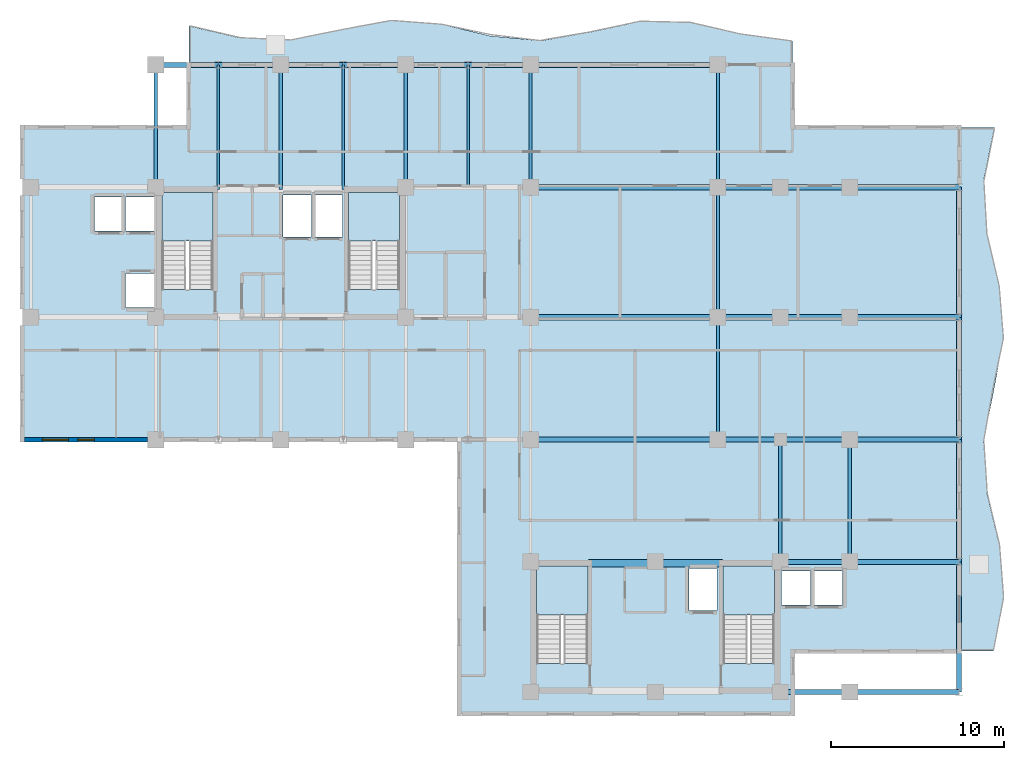
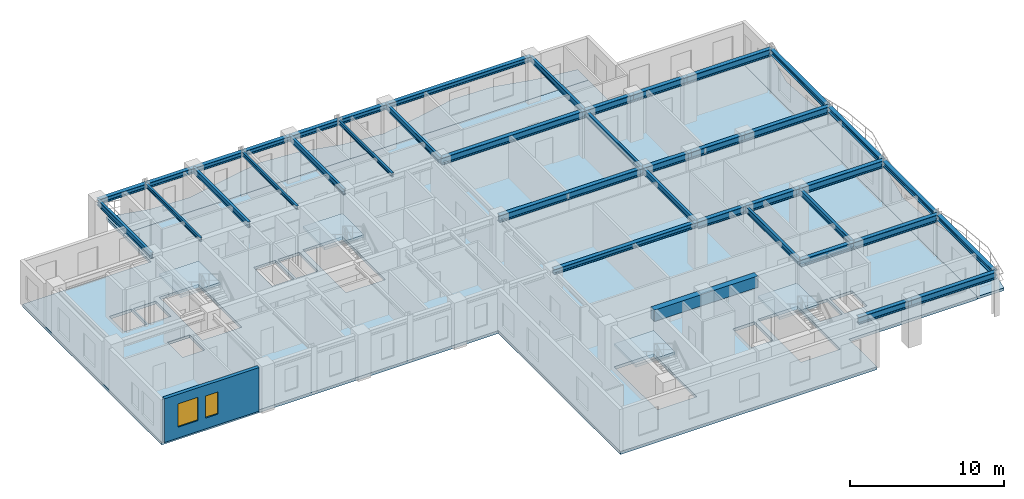
# One storey, part 4 of 13: 40 beams, 7 slabs, 2 windows, 1 wall, 2 openings, 4 elements without a shape of their own.
"""IFC4 building model written with IfcOpenShell, lengths in metres."""

import ifcopenshell
import ifcopenshell.guid

model = None  # the IFC model being written
_history = None  # IfcOwnerHistory: only IFC2X3 demands one
_inside = {}  # id of a spatial element -> (the spatial element, [elements in it])
_under = {}  # id of a project, library or spatial element -> (it, [spatial elements below it])
_declared = {}  # id of a project -> (the project, [libraries it declares])
_typed = {}  # id of a type object -> (the type object, [elements of that type])
_made_of = {}  # id of a material, layer set ... -> (it, [elements and type objects made of it])


def new_model(schema):
    """Start an empty IFC model of exactly this schema.

    Asked for "IFC4X3", IfcOpenShell would pick the latest addendum, in which some entities
    have other attributes; the version numbers below select the first issue.
    IFC2X3 requires an IfcOwnerHistory on every rooted entity: one is made here for all.
    """
    global model, _history
    if schema == "IFC4X3":
        model = ifcopenshell.file(schema_version=(4, 3, 0, 0))
    else:
        model = ifcopenshell.file(schema=schema)
    _inside.clear()
    _under.clear()
    _declared.clear()
    _typed.clear()
    _made_of.clear()
    _history = None
    if model.schema == "IFC2X3":
        org = make("IfcOrganization", Name="unknown")
        user = make(
            "IfcPersonAndOrganization",
            ThePerson=make("IfcPerson", FamilyName="unknown"),
            TheOrganization=org,
        )
        app = make(
            "IfcApplication",
            ApplicationDeveloper=org,
            Version="unknown",
            ApplicationFullName="unknown",
            ApplicationIdentifier="unknown",
        )
        _history = make(
            "IfcOwnerHistory",
            OwningUser=user,
            OwningApplication=app,
            ChangeAction="ADDED",
            CreationDate=0,
        )
    return model


def make(cls, **values):
    """One entity of the class cls with the attributes given. An attribute that is None is left unset."""
    return model.create_entity(
        cls, **{name: value for name, value in values.items() if value is not None}
    )


def rooted(cls, **values):
    """An entity with a GlobalId (a new one), such as an element, a storey or a relation."""
    return make(cls, GlobalId=ifcopenshell.guid.new(), OwnerHistory=_history, **values)


def si_unit(unit_type, name, prefix=None):
    """IfcSIUnit, for example si_unit("LENGTHUNIT", "METRE", prefix="MILLI")."""
    return make("IfcSIUnit", UnitType=unit_type, Prefix=prefix, Name=name)


def assignment(units):
    """IfcUnitAssignment: the units of a project."""
    return None if units is None else make("IfcUnitAssignment", Units=units)


def point(xyz):
    """IfcCartesianPoint."""
    return None if xyz is None else make("IfcCartesianPoint", Coordinates=xyz)


def direction(xyz):
    """IfcDirection."""
    return None if xyz is None else make("IfcDirection", DirectionRatios=xyz)


def frame(location, z_axis=None, x_axis=None):
    """IfcAxis2Placement3D, a coordinate frame: its origin and axes. An axis left out is left unset."""
    return make(
        "IfcAxis2Placement3D",
        Location=point(location),
        Axis=direction(z_axis),
        RefDirection=direction(x_axis),
    )


def frame_2d(location, x_axis=None):
    """IfcAxis2Placement2D, a coordinate frame in the plane: its origin and x axis."""
    return make(
        "IfcAxis2Placement2D", Location=point(location), RefDirection=direction(x_axis)
    )


def origin():
    """The frame at (0, 0, 0) with its axes left unset."""
    return frame((0.0, 0.0, 0.0))


def origin_2d():
    """The frame at (0, 0) in the plane with its x axis left unset."""
    return frame_2d((0.0, 0.0))


def place(relative_to, where):
    """IfcLocalPlacement: puts the frame where relative to a parent placement (None: the world)."""
    return make(
        "IfcLocalPlacement", PlacementRelTo=relative_to, RelativePlacement=where
    )


def context(
    kind, dimensions, precision=None, world=None, true_north=None, identifier=None
):
    """IfcGeometricRepresentationContext, for example the 3D "Model" context."""
    return make(
        "IfcGeometricRepresentationContext",
        ContextIdentifier=identifier,
        ContextType=kind,
        CoordinateSpaceDimension=dimensions,
        Precision=precision,
        WorldCoordinateSystem=world,
        TrueNorth=true_north,
    )


def subcontext(parent, identifier, kind, view, scale=None):
    """IfcGeometricRepresentationSubContext, for example "Body" below "Model"."""
    return make(
        "IfcGeometricRepresentationSubContext",
        ContextIdentifier=identifier,
        ContextType=kind,
        ParentContext=parent,
        TargetScale=scale,
        TargetView=view,
    )


def project(units=None, contexts=None):
    """IfcProject with its units and contexts."""
    return rooted(
        "IfcProject",
        Name="project",
        RepresentationContexts=contexts,
        UnitsInContext=assignment(units),
    )


def spatial(cls, under=None, at=None, **own):
    """A site, building, storey or space (cls), placed at a placement, below another one or the project."""
    s = rooted(cls, ObjectPlacement=at, **own)
    if under is not None:
        _under.setdefault(under.id(), (under, []))[1].append(s)
    return s


def polyline(points):
    """IfcPolyline through the points."""
    return make("IfcPolyline", Points=[point(p) for p in points])


def profile(cls, at=None, kind="AREA", **sizes):
    """A parametric profile (cls). Its sizes go by their IFC names, for example OverallWidth=200.0."""
    return make(cls, ProfileType=kind, Position=at, **sizes)


def rectangle(**sizes):
    """IfcRectangleProfileDef."""
    return profile("IfcRectangleProfileDef", **sizes)


def i_section(**sizes):
    """IfcIShapeProfileDef."""
    return profile("IfcIShapeProfileDef", **sizes)


def outline(outer, holes=None, kind="AREA"):
    """IfcArbitraryClosedProfileDef: a profile drawn as a closed curve; with holes, ...WithVoids."""
    if holes is None:
        return make("IfcArbitraryClosedProfileDef", ProfileType=kind, OuterCurve=outer)
    return make(
        "IfcArbitraryProfileDefWithVoids",
        ProfileType=kind,
        OuterCurve=outer,
        InnerCurves=holes,
    )


def extrude(swept, where, along, depth):
    """IfcExtrudedAreaSolid: the profile swept, set in the frame where, extruded along a direction by depth."""
    return make(
        "IfcExtrudedAreaSolid",
        SweptArea=swept,
        Position=where,
        ExtrudedDirection=direction(along),
        Depth=depth,
    )


def shape(context_of_items, identifier, shape_type, items):
    """IfcShapeRepresentation: the items that make up one representation, for example the "Body"."""
    return make(
        "IfcShapeRepresentation",
        ContextOfItems=context_of_items,
        RepresentationIdentifier=identifier,
        RepresentationType=shape_type,
        Items=items,
    )


def source(mapping_origin, context_of_items, identifier, shape_type, items):
    """IfcRepresentationMap: a shape defined once, which mapped items show again and again."""
    return make(
        "IfcRepresentationMap",
        MappingOrigin=mapping_origin,
        MappedRepresentation=shape(context_of_items, identifier, shape_type, items),
    )


def transform(
    local_origin,
    x_axis=None,
    y_axis=None,
    z_axis=None,
    scale=None,
    scale2=None,
    scale3=None,
    uniform=True,
):
    """IfcCartesianTransformationOperator3D, or its non-uniform kind. x_axis, y_axis, z_axis: its Axis1, 2, 3."""
    if uniform:
        return make(
            "IfcCartesianTransformationOperator3D",
            Axis1=direction(x_axis),
            Axis2=direction(y_axis),
            LocalOrigin=point(local_origin),
            Scale=scale,
            Axis3=direction(z_axis),
        )
    return make(
        "IfcCartesianTransformationOperator3DnonUniform",
        Axis1=direction(x_axis),
        Axis2=direction(y_axis),
        LocalOrigin=point(local_origin),
        Scale=scale,
        Axis3=direction(z_axis),
        Scale2=scale2,
        Scale3=scale3,
    )


def mapped(mapping_source, mapping_target):
    """IfcMappedItem: shows the shape of a source again, moved by a transform."""
    return make(
        "IfcMappedItem", MappingSource=mapping_source, MappingTarget=mapping_target
    )


def material(Name=None, Category=None):
    """IfcMaterial."""
    return make("IfcMaterial", Name=Name, Category=Category)


def layer(
    of_material, thickness, ventilated=None, Name=None, Category=None, Priority=None
):
    """IfcMaterialLayer: one layer of a wall or slab, of a material (None: an air gap)."""
    return make(
        "IfcMaterialLayer",
        Material=of_material,
        LayerThickness=thickness,
        IsVentilated=ventilated,
        Name=Name,
        Category=Category,
        Priority=Priority,
    )


def layer_set(layers, Name=None):
    """IfcMaterialLayerSet."""
    return make("IfcMaterialLayerSet", MaterialLayers=layers, LayerSetName=Name)


def material_profile(
    of_material, cross_section, Name=None, Category=None, Priority=None
):
    """IfcMaterialProfile: a cross section and its material."""
    return make(
        "IfcMaterialProfile",
        Name=Name,
        Material=of_material,
        Profile=cross_section,
        Priority=Priority,
        Category=Category,
    )


def profile_set(profiles, Name=None, composite=None):
    """IfcMaterialProfileSet."""
    return make(
        "IfcMaterialProfileSet",
        Name=Name,
        MaterialProfiles=profiles,
        CompositeProfile=composite,
    )


def made_of(thing, what):
    """Note that an element or type object is made of a material, layer set ...; save() writes the relation."""
    if what is not None:
        _made_of.setdefault(what.id(), (what, []))[1].append(thing)
    return thing


def type_object(cls, material=None, **own):
    """A type object (cls), such as IfcWallType, which elements share."""
    return made_of(rooted(cls, **own), material)


def element(
    cls,
    number,
    at=None,
    inside=None,
    cuts=None,
    type_object=None,
    material=None,
    context=None,
    identifier="Body",
    shape_type=None,
    held_by="IfcProductDefinitionShape",
    body=None,
    shapes=None,
    **own,
):
    """One element of the class cls, such as IfcWall. Its Tag is "e" and its number.

    at: its placement. inside: the storey or other place that contains it. cuts: it is an
    opening in that element (IfcRelVoidsElement). A single representation is given by context,
    identifier, shape_type and body (its items); several are given by shapes. held_by: the class
    of the entity that holds the representations. save() writes the other relations.
    """
    e = rooted(cls, Tag="e%d" % number, ObjectPlacement=at, **own)
    if body is not None:
        shapes = [shape(context, identifier, shape_type, body)]
    if shapes is not None:
        e.Representation = make(held_by, Representations=shapes)
    if inside is not None:
        _inside.setdefault(inside.id(), (inside, []))[1].append(e)
    if cuts is not None:
        rooted(
            "IfcRelVoidsElement", RelatingBuildingElement=cuts, RelatedOpeningElement=e
        )
    if type_object is not None:
        _typed.setdefault(type_object.id(), (type_object, []))[1].append(e)
    return made_of(e, material)


def fill(opening, filler):
    """IfcRelFillsElement: the door or window that sits in an opening."""
    return rooted(
        "IfcRelFillsElement",
        RelatingOpeningElement=opening,
        RelatedBuildingElement=filler,
    )


def aggregate(whole, parts):
    """IfcRelAggregates: a whole, such as a stair, and the parts it consists of."""
    return rooted("IfcRelAggregates", RelatingObject=whole, RelatedObjects=parts)


def save(model, path):
    """Write the relations noted so far, then the file.

    IfcRelAggregates (storeys below a building ...), IfcRelContainedInSpatialStructure (elements
    in a storey), IfcRelDefinesByType, IfcRelAssociatesMaterial and IfcRelDeclares: one each for
    every whole, place, type object, material and project.
    """
    for whole, parts in _under.values():
        aggregate(whole, parts)
    for where, things in _inside.values():
        rooted(
            "IfcRelContainedInSpatialStructure",
            RelatedElements=things,
            RelatingStructure=where,
        )
    for kind, things in _typed.values():
        rooted("IfcRelDefinesByType", RelatedObjects=things, RelatingType=kind)
    for what, things in _made_of.values():
        rooted("IfcRelAssociatesMaterial", RelatedObjects=things, RelatingMaterial=what)
    for by, libraries in _declared.values():
        rooted("IfcRelDeclares", RelatingContext=by, RelatedDefinitions=libraries)
    model.write(path)


model = new_model("IFC4")

# Units and contexts
model_context = context("Model", 3, precision=1e-05, world=origin(), true_north=direction((0.0, 1.0)))
body_context = subcontext(model_context, "Body", "Model", "MODEL_VIEW")
ifc_project = project(units=[si_unit("LENGTHUNIT", "METRE"), si_unit("AREAUNIT", "SQUARE_METRE"), si_unit("VOLUMEUNIT", "CUBIC_METRE"), si_unit("PLANEANGLEUNIT", "RADIAN"), si_unit("MASSUNIT", "GRAM", prefix="KILO")], contexts=[model_context])

# Site, building, storey
site_placement = place(None, origin())
site = spatial("IfcSite", under=ifc_project, at=site_placement, CompositionType="ELEMENT")
building_placement = place(site_placement, origin())
building = spatial("IfcBuilding", under=site, at=building_placement, Name="Kaliganga Portal Commons", CompositionType="ELEMENT")
storey_placement = place(building_placement, frame((0.0, 0.0, 224.0)))
storey = spatial("IfcBuildingStorey", under=building, at=storey_placement, Name="L57", CompositionType="ELEMENT", Elevation=224.0)

# Beams
ifc_material_1 = material(Name="Concrete C50/60", Category="concrete")
ifc_material_profile_1 = material_profile(ifc_material_1, rectangle(XDim=0.449951171875, YDim=0.89990234375, at=origin_2d()), Name="RC 450x900")
ifc_profile_set_1 = profile_set([ifc_material_profile_1], Name="Concrete C50/60")
beam_type_1 = type_object("IfcBeamType", Name="BM-CPL-900", PredefinedType="LINTEL", material=ifc_profile_set_1)
shared_shape_1 = source(origin(), body_context, "Body", "SweptSolid", [
    extrude(rectangle(XDim=0.449951171875, YDim=0.89990234375, at=origin_2d()), origin(), (0.0, 0.0, 1.0), 7.739990234375),
])
beam_1_placement = place(storey_placement, frame((39.330078125, 14.47509765625, 3.02001953125), z_axis=(1.0, 0.0, 0.0), x_axis=(0.0, 1.0, 0.0)))
element("IfcBeam", 1, at=beam_1_placement, inside=storey, type_object=beam_type_1, Name="BM CPL COREB L57 N", PredefinedType="LINTEL", context=body_context, shape_type="MappedRepresentation", body=[
    mapped(shared_shape_1, transform((0.0, 0.0, 0.0), x_axis=(1.0, 0.0, 0.0), y_axis=(0.0, 1.0, 0.0), z_axis=(0.0, 0.0, 1.0), scale=1.0)),
])
ifc_material_2 = material(Name="Structural steel S355J2", Category="steel")
ifc_material_profile_2 = material_profile(ifc_material_2, i_section(OverallWidth=0.18994140625, OverallDepth=0.449951171875, WebThickness=0.009521484375, FlangeThickness=0.0146484375, FilletRadius=0.02099609375, at=origin_2d()), Name="IPE 450")
ifc_profile_set_2 = profile_set([ifc_material_profile_2], Name="Structural steel S355J2 wide-flange")
beam_type_2 = type_object("IfcBeamType", Name="BM-FLR-450", PredefinedType="BEAM", material=ifc_profile_set_2)
shared_shape_2 = source(origin(), body_context, "Body", "SweptSolid", [
    extrude(i_section(OverallWidth=0.18994140625, OverallDepth=0.449951171875, WebThickness=0.009521484375, FlangeThickness=0.0146484375, FilletRadius=0.02099609375, at=origin_2d()), origin(), (0.0, 0.0, 1.0), 7.5),
])
beam_2_placement = place(storey_placement, frame((46.800048828125, 28.64990234375, 3.2451171875), z_axis=(0.0, 1.0, 0.0), x_axis=(-1.0, 0.0, 0.0)))
element("IfcBeam", 2, at=beam_2_placement, inside=storey, type_object=beam_type_2, Name="BM G L57 AM468", PredefinedType="BEAM", context=body_context, shape_type="MappedRepresentation", body=[
    mapped(shared_shape_2, transform((0.0, 0.0, 0.0), x_axis=(1.0, 0.0, 0.0), y_axis=(0.0, 1.0, 0.0), z_axis=(0.0, 0.0, 1.0), scale=1.0)),
])
shared_shape_3 = source(origin(), body_context, "Body", "SweptSolid", [
    extrude(i_section(OverallWidth=0.18994140625, OverallDepth=0.449951171875, WebThickness=0.009521484375, FlangeThickness=0.0146484375, FilletRadius=0.02099609375, at=origin_2d()), origin(), (0.0, 0.0, 1.0), 7.050048828125),
])
for number, where, z_axis, x_axis, name in (
    (3, (14.39990234375, 36.14990234375, 3.2451171875), (0.0, 1.0, 0.0), (-1.0, 0.0, 0.0), "BM G L57 AN144"),
    (4, (28.800048828125, 36.14990234375, 3.2451171875), (0.0, 1.0, 0.0), (-1.0, 0.0, 0.0), "BM G L57 AN288"),
    (5, (36.0, 36.14990234375, 3.2451171875), (0.0, 1.0, 0.0), (-1.0, 0.0, 0.0), "BM G L57 AN360"),
    (6, (46.800048828125, 36.14990234375, 3.2451171875), (0.0, 1.0, 0.0), (-1.0, 0.0, 0.0), "BM G L57 AN468"),
    (7, (50.39990234375, 14.550048828125, 3.2451171875), (0.0, 1.0, 0.0), (-1.0, 0.0, 0.0), "BM G L57 BNK504"),
    (8, (54.39990234375, 14.550048828125, 3.2451171875), (0.0, 1.0, 0.0), (-1.0, 0.0, 0.0), "BM G L57 BNK544"),
):
    element("IfcBeam", number, at=place(storey_placement, frame(where, z_axis=z_axis, x_axis=x_axis)), inside=storey, type_object=beam_type_2, Name=name, PredefinedType="BEAM", context=body_context, shape_type="MappedRepresentation", body=[
        mapped(shared_shape_3, transform((0.0, 0.0, 0.0), x_axis=(1.0, 0.0, 0.0), y_axis=(0.0, 1.0, 0.0), z_axis=(0.0, 0.0, 1.0), scale=1.0)),
    ])
shared_shape_4 = source(origin(), body_context, "Body", "SweptSolid", [
    extrude(i_section(OverallWidth=0.18994140625, OverallDepth=0.449951171875, WebThickness=0.009521484375, FlangeThickness=0.0146484375, FilletRadius=0.02099609375, at=origin_2d()), origin(), (0.0, 0.0, 1.0), 7.0498046875),
])
beam_3_placement = place(storey_placement, frame((46.800048828125, 21.60009765625, 3.2451171875), z_axis=(0.0, 1.0, 0.0), x_axis=(-1.0, 0.0, 0.0)))
element("IfcBeam", 9, at=beam_3_placement, inside=storey, type_object=beam_type_2, Name="BM G L57 AS468", PredefinedType="BEAM", context=body_context, shape_type="MappedRepresentation", body=[
    mapped(shared_shape_4, transform((0.0, 0.0, 0.0), x_axis=(1.0, 0.0, 0.0), y_axis=(0.0, 1.0, 0.0), z_axis=(0.0, 0.0, 1.0), scale=1.0)),
])
ifc_material_profile_3 = material_profile(ifc_material_2, i_section(OverallWidth=0.14990234375, OverallDepth=0.300048828125, WebThickness=0.007080078125, FlangeThickness=0.0107421875, FilletRadius=0.014892578125, at=origin_2d()), Name="IPE 300")
ifc_profile_set_3 = profile_set([ifc_material_profile_3], Name="Structural steel S355J2 wide-flange")
beam_type_3 = type_object("IfcBeamType", Name="BM-JST-300", PredefinedType="JOIST", material=ifc_profile_set_3)
shared_shape_5 = source(origin(), body_context, "Body", "SweptSolid", [
    extrude(i_section(OverallWidth=0.14990234375, OverallDepth=0.300048828125, WebThickness=0.007080078125, FlangeThickness=0.0107421875, FilletRadius=0.014892578125, at=origin_2d()), origin(), (0.0, 0.0, 1.0), 7.050048828125),
])
beam_4_placement = place(storey_placement, frame((32.39990234375, 36.14990234375, 3.320068359375), z_axis=(0.0, 1.0, 0.0), x_axis=(-1.0, 0.0, 0.0)))
element("IfcBeam", 10, at=beam_4_placement, inside=storey, type_object=beam_type_3, Name="BM G L57 AN324", PredefinedType="JOIST", context=body_context, shape_type="MappedRepresentation", body=[
    mapped(shared_shape_5, transform((0.0, 0.0, 0.0), x_axis=(1.0, 0.0, 0.0), y_axis=(0.0, 1.0, 0.0), z_axis=(0.0, 0.0, 1.0), scale=1.0)),
])
ifc_material_profile_4 = material_profile(ifc_material_2, i_section(OverallWidth=0.300048828125, OverallDepth=0.39990234375, WebThickness=0.013427734375, FlangeThickness=0.02392578125, FilletRadius=0.027099609375, at=origin_2d()), Name="HE 400 B")
ifc_profile_set_4 = profile_set([ifc_material_profile_4], Name="Structural steel S355J2 wide-flange")
beam_type_4 = type_object("IfcBeamType", Name="BM-SPAND-400", PredefinedType="SPANDREL", material=ifc_profile_set_4)
shared_shape_6 = source(origin(), body_context, "Body", "SweptSolid", [
    extrude(i_section(OverallWidth=0.300048828125, OverallDepth=0.39990234375, WebThickness=0.013427734375, FlangeThickness=0.02392578125, FilletRadius=0.027099609375, at=origin_2d()), origin(), (0.0, 0.0, 1.0), 3.60009765625),
])
for number, where, z_axis, x_axis, name in (
    (11, (14.39990234375, 43.199951171875, 3.27001953125), (1.0, 0.0, 0.0), (0.0, 1.0, 0.0), "BM SP L57 AN 1"),
    (12, (18.0, 43.199951171875, 3.27001953125), (1.0, 0.0, 0.0), (0.0, 1.0, 0.0), "BM SP L57 AN 2"),
    (13, (25.199951171875, 43.199951171875, 3.27001953125), (1.0, 0.0, 0.0), (0.0, 1.0, 0.0), "BM SP L57 AN 4"),
    (14, (32.39990234375, 43.199951171875, 3.27001953125), (1.0, 0.0, 0.0), (0.0, 1.0, 0.0), "BM SP L57 AN 6"),
):
    element("IfcBeam", number, at=place(storey_placement, frame(where, z_axis=z_axis, x_axis=x_axis)), inside=storey, type_object=beam_type_4, Name=name, PredefinedType="SPANDREL", context=body_context, shape_type="MappedRepresentation", body=[
        mapped(shared_shape_6, transform((0.0, 0.0, 0.0), x_axis=(1.0, 0.0, 0.0), y_axis=(0.0, 1.0, 0.0), z_axis=(0.0, 0.0, 1.0), scale=1.0)),
    ])
shared_shape_7 = source(origin(), body_context, "Body", "SweptSolid", [
    extrude(i_section(OverallWidth=0.300048828125, OverallDepth=0.39990234375, WebThickness=0.013427734375, FlangeThickness=0.02392578125, FilletRadius=0.027099609375, at=origin_2d()), origin(), (0.0, 0.0, 1.0), 3.599853515625),
])
for number, where, z_axis, x_axis, name in (
    (15, (21.60009765625, 43.199951171875, 3.27001953125), (1.0, 0.0, 0.0), (0.0, 1.0, 0.0), "BM SP L57 AN 3"),
    (16, (28.800048828125, 43.199951171875, 3.27001953125), (1.0, 0.0, 0.0), (0.0, 1.0, 0.0), "BM SP L57 AN 5"),
):
    element("IfcBeam", number, at=place(storey_placement, frame(where, z_axis=z_axis, x_axis=x_axis)), inside=storey, type_object=beam_type_4, Name=name, PredefinedType="SPANDREL", context=body_context, shape_type="MappedRepresentation", body=[
        mapped(shared_shape_7, transform((0.0, 0.0, 0.0), x_axis=(1.0, 0.0, 0.0), y_axis=(0.0, 1.0, 0.0), z_axis=(0.0, 0.0, 1.0), scale=1.0)),
    ])
shared_shape_8 = source(origin(), body_context, "Body", "SweptSolid", [
    extrude(i_section(OverallWidth=0.300048828125, OverallDepth=0.39990234375, WebThickness=0.013427734375, FlangeThickness=0.02392578125, FilletRadius=0.027099609375, at=origin_2d()), origin(), (0.0, 0.0, 1.0), 10.800048828125),
])
for number, where, z_axis, x_axis, name in (
    (17, (36.0, 43.199951171875, 3.27001953125), (1.0, 0.0, 0.0), (0.0, 1.0, 0.0), "BM SP L57 AN 7"),
    (18, (36.0, 21.60009765625, 3.27001953125), (1.0, 0.0, 0.0), (0.0, 1.0, 0.0), "BM SP L57 AS 7"),
):
    element("IfcBeam", number, at=place(storey_placement, frame(where, z_axis=z_axis, x_axis=x_axis)), inside=storey, type_object=beam_type_4, Name=name, PredefinedType="SPANDREL", context=body_context, shape_type="MappedRepresentation", body=[
        mapped(shared_shape_8, transform((0.0, 0.0, 0.0), x_axis=(1.0, 0.0, 0.0), y_axis=(0.0, 1.0, 0.0), z_axis=(0.0, 0.0, 1.0), scale=1.0)),
    ])
ifc_material_profile_5 = material_profile(ifc_material_2, i_section(OverallWidth=0.300048828125, OverallDepth=0.550048828125, WebThickness=0.014892578125, FlangeThickness=0.029052734375, FilletRadius=0.027099609375, at=origin_2d()), Name="HE 550 B")
ifc_profile_set_5 = profile_set([ifc_material_profile_5], Name="Structural steel S355J2 wide-flange")
beam_type_5 = type_object("IfcBeamType", Name="BM-GIRD-550", PredefinedType="USERDEFINED", material=ifc_profile_set_5)
shared_shape_9 = source(origin(), body_context, "Body", "SweptSolid", [
    extrude(i_section(OverallWidth=0.300048828125, OverallDepth=0.550048828125, WebThickness=0.014892578125, FlangeThickness=0.029052734375, FilletRadius=0.027099609375, at=origin_2d()), origin(), (0.0, 0.0, 1.0), 10.800048828125),
])
for number, where, z_axis, x_axis, name in (
    (19, (36.0, 28.64990234375, 3.195068359375), (1.0, 0.0, 0.0), (0.0, 1.0, 0.0), "BM G L57 WAE_S 2"),
    (20, (36.0, 36.14990234375, 3.195068359375), (1.0, 0.0, 0.0), (0.0, 1.0, 0.0), "BM G L57 WAE_N 2"),
):
    element("IfcBeam", number, at=place(storey_placement, frame(where, z_axis=z_axis, x_axis=x_axis)), inside=storey, type_object=beam_type_5, Name=name, ObjectType="GIRDER", PredefinedType="USERDEFINED", context=body_context, shape_type="MappedRepresentation", body=[
        mapped(shared_shape_9, transform((0.0, 0.0, 0.0), x_axis=(1.0, 0.0, 0.0), y_axis=(0.0, 1.0, 0.0), z_axis=(0.0, 0.0, 1.0), scale=1.0)),
    ])
shared_shape_10 = source(origin(), body_context, "Body", "SweptSolid", [
    extrude(i_section(OverallWidth=0.14990234375, OverallDepth=0.300048828125, WebThickness=0.007080078125, FlangeThickness=0.0107421875, FilletRadius=0.014892578125, at=origin_2d()), origin(), (0.0, 0.0, 1.0), 7.175048828125),
])
for number, where, z_axis, x_axis, name in (
    (21, (18.0, 36.02490234375, 3.320068359375), (0.0, 1.0, 0.0), (-1.0, 0.0, 0.0), "BM G L57 AN180"),
    (22, (25.199951171875, 36.02490234375, 3.320068359375), (0.0, 1.0, 0.0), (-1.0, 0.0, 0.0), "BM G L57 AN252"),
):
    element("IfcBeam", number, at=place(storey_placement, frame(where, z_axis=z_axis, x_axis=x_axis)), inside=storey, type_object=beam_type_3, Name=name, PredefinedType="JOIST", context=body_context, shape_type="MappedRepresentation", body=[
        mapped(shared_shape_10, transform((0.0, 0.0, 0.0), x_axis=(1.0, 0.0, 0.0), y_axis=(0.0, 1.0, 0.0), z_axis=(0.0, 0.0, 1.0), scale=1.0)),
    ])
shared_shape_11 = source(origin(), body_context, "Body", "SweptSolid", [
    extrude(i_section(OverallWidth=0.18994140625, OverallDepth=0.449951171875, WebThickness=0.009521484375, FlangeThickness=0.0146484375, FilletRadius=0.02099609375, at=origin_2d()), origin(), (0.0, 0.0, 1.0), 7.175048828125),
])
beam_5_placement = place(storey_placement, frame((21.60009765625, 36.02490234375, 3.2451171875), z_axis=(0.0, 1.0, 0.0), x_axis=(-1.0, 0.0, 0.0)))
element("IfcBeam", 23, at=beam_5_placement, inside=storey, type_object=beam_type_2, Name="BM G L57 AN216", PredefinedType="BEAM", context=body_context, shape_type="MappedRepresentation", body=[
    mapped(shared_shape_11, transform((0.0, 0.0, 0.0), x_axis=(1.0, 0.0, 0.0), y_axis=(0.0, 1.0, 0.0), z_axis=(0.0, 0.0, 1.0), scale=1.0)),
])
shared_shape_12 = source(origin(), body_context, "Body", "SweptSolid", [
    extrude(i_section(OverallWidth=0.300048828125, OverallDepth=0.550048828125, WebThickness=0.014892578125, FlangeThickness=0.029052734375, FilletRadius=0.027099609375, at=origin_2d()), origin(), (0.0, 0.0, 1.0), 4.0),
])
for number, where, z_axis, x_axis, name in (
    (24, (50.39990234375, 7.050048828125, 3.195068359375), (1.0, 0.0, 0.0), (0.0, 1.0, 0.0), "BM G L57 BKE70 1"),
    (25, (50.39990234375, 14.550048828125, 3.195068359375), (1.0, 0.0, 0.0), (0.0, 1.0, 0.0), "BM G L57 BKE146 1"),
    (26, (50.39990234375, 21.60009765625, 3.195068359375), (1.0, 0.0, 0.0), (0.0, 1.0, 0.0), "BM G L57 BKE216 2"),
    (27, (50.39990234375, 28.64990234375, 3.195068359375), (1.0, 0.0, 0.0), (0.0, 1.0, 0.0), "BM G L57 BKE286 2"),
    (28, (50.39990234375, 36.14990234375, 3.195068359375), (1.0, 0.0, 0.0), (0.0, 1.0, 0.0), "BM G L57 BKE362 2"),
):
    element("IfcBeam", number, at=place(storey_placement, frame(where, z_axis=z_axis, x_axis=x_axis)), inside=storey, type_object=beam_type_5, Name=name, ObjectType="GIRDER", PredefinedType="USERDEFINED", context=body_context, shape_type="MappedRepresentation", body=[
        mapped(shared_shape_12, transform((0.0, 0.0, 0.0), x_axis=(1.0, 0.0, 0.0), y_axis=(0.0, 1.0, 0.0), z_axis=(0.0, 0.0, 1.0), scale=1.0)),
    ])
shared_shape_13 = source(origin(), body_context, "Body", "SweptSolid", [
    extrude(i_section(OverallWidth=0.300048828125, OverallDepth=0.550048828125, WebThickness=0.014892578125, FlangeThickness=0.029052734375, FilletRadius=0.027099609375, at=origin_2d()), origin(), (0.0, 0.0, 1.0), 6.300048828125),
])
for number, where, z_axis, x_axis, name in (
    (29, (54.39990234375, 7.050048828125, 3.195068359375), (1.0, 0.0, 0.0), (0.0, 1.0, 0.0), "BM G L57 BKE70 2"),
    (30, (54.39990234375, 14.550048828125, 3.195068359375), (1.0, 0.0, 0.0), (0.0, 1.0, 0.0), "BM G L57 BKE146 2"),
    (31, (54.39990234375, 21.60009765625, 3.195068359375), (1.0, 0.0, 0.0), (0.0, 1.0, 0.0), "BM G L57 BKE216 3"),
    (32, (54.39990234375, 28.64990234375, 3.195068359375), (1.0, 0.0, 0.0), (0.0, 1.0, 0.0), "BM G L57 BKE286 3"),
    (33, (54.39990234375, 36.14990234375, 3.195068359375), (1.0, 0.0, 0.0), (0.0, 1.0, 0.0), "BM G L57 BKE362 3"),
):
    element("IfcBeam", number, at=place(storey_placement, frame(where, z_axis=z_axis, x_axis=x_axis)), inside=storey, type_object=beam_type_5, Name=name, ObjectType="GIRDER", PredefinedType="USERDEFINED", context=body_context, shape_type="MappedRepresentation", body=[
        mapped(shared_shape_13, transform((0.0, 0.0, 0.0), x_axis=(1.0, 0.0, 0.0), y_axis=(0.0, 1.0, 0.0), z_axis=(0.0, 0.0, 1.0), scale=1.0)),
    ])
shared_shape_14 = source(origin(), body_context, "Body", "SweptSolid", [
    extrude(i_section(OverallWidth=0.300048828125, OverallDepth=0.550048828125, WebThickness=0.014892578125, FlangeThickness=0.029052734375, FilletRadius=0.027099609375, at=origin_2d()), origin(), (0.0, 0.0, 1.0), 3.599853515625),
])
for number, where, z_axis, x_axis, name in (
    (34, (46.800048828125, 21.60009765625, 3.195068359375), (1.0, 0.0, 0.0), (0.0, 1.0, 0.0), "BM G L57 BKE216 1"),
    (35, (46.800048828125, 28.64990234375, 3.195068359375), (1.0, 0.0, 0.0), (0.0, 1.0, 0.0), "BM G L57 BKE286 1"),
    (36, (46.800048828125, 36.14990234375, 3.195068359375), (1.0, 0.0, 0.0), (0.0, 1.0, 0.0), "BM G L57 BKE362 1"),
):
    element("IfcBeam", number, at=place(storey_placement, frame(where, z_axis=z_axis, x_axis=x_axis)), inside=storey, type_object=beam_type_5, Name=name, ObjectType="GIRDER", PredefinedType="USERDEFINED", context=body_context, shape_type="MappedRepresentation", body=[
        mapped(shared_shape_14, transform((0.0, 0.0, 0.0), x_axis=(1.0, 0.0, 0.0), y_axis=(0.0, 1.0, 0.0), z_axis=(0.0, 0.0, 1.0), scale=1.0)),
    ])
shared_shape_15 = source(origin(), body_context, "Body", "SweptSolid", [
    extrude(i_section(OverallWidth=0.300048828125, OverallDepth=0.39990234375, WebThickness=0.013427734375, FlangeThickness=0.02392578125, FilletRadius=0.027099609375, at=origin_2d()), origin(), (0.0, 0.0, 1.0), 7.5),
])
for number, where, z_axis, x_axis, name in (
    (37, (60.699951171875, 7.050048828125, 3.27001953125), (0.0, 1.0, 0.0), (-1.0, 0.0, 0.0), "BM SP L57 BE 1"),
    (38, (60.699951171875, 28.64990234375, 3.27001953125), (0.0, 1.0, 0.0), (-1.0, 0.0, 0.0), "BM SP L57 BE 4"),
):
    element("IfcBeam", number, at=place(storey_placement, frame(where, z_axis=z_axis, x_axis=x_axis)), inside=storey, type_object=beam_type_4, Name=name, PredefinedType="SPANDREL", context=body_context, shape_type="MappedRepresentation", body=[
        mapped(shared_shape_15, transform((0.0, 0.0, 0.0), x_axis=(1.0, 0.0, 0.0), y_axis=(0.0, 1.0, 0.0), z_axis=(0.0, 0.0, 1.0), scale=1.0)),
    ])
shared_shape_16 = source(origin(), body_context, "Body", "SweptSolid", [
    extrude(i_section(OverallWidth=0.300048828125, OverallDepth=0.39990234375, WebThickness=0.013427734375, FlangeThickness=0.02392578125, FilletRadius=0.027099609375, at=origin_2d()), origin(), (0.0, 0.0, 1.0), 7.050048828125),
])
beam_6_placement = place(storey_placement, frame((60.699951171875, 14.550048828125, 3.27001953125), z_axis=(0.0, 1.0, 0.0), x_axis=(-1.0, 0.0, 0.0)))
element("IfcBeam", 39, at=beam_6_placement, inside=storey, type_object=beam_type_4, Name="BM SP L57 BE 2", PredefinedType="SPANDREL", context=body_context, shape_type="MappedRepresentation", body=[
    mapped(shared_shape_16, transform((0.0, 0.0, 0.0), x_axis=(1.0, 0.0, 0.0), y_axis=(0.0, 1.0, 0.0), z_axis=(0.0, 0.0, 1.0), scale=1.0)),
])
shared_shape_17 = source(origin(), body_context, "Body", "SweptSolid", [
    extrude(i_section(OverallWidth=0.300048828125, OverallDepth=0.39990234375, WebThickness=0.013427734375, FlangeThickness=0.02392578125, FilletRadius=0.027099609375, at=origin_2d()), origin(), (0.0, 0.0, 1.0), 7.0498046875),
])
beam_7_placement = place(storey_placement, frame((60.699951171875, 21.60009765625, 3.27001953125), z_axis=(0.0, 1.0, 0.0), x_axis=(-1.0, 0.0, 0.0)))
element("IfcBeam", 40, at=beam_7_placement, inside=storey, type_object=beam_type_4, Name="BM SP L57 BE 3", PredefinedType="SPANDREL", context=body_context, shape_type="MappedRepresentation", body=[
    mapped(shared_shape_17, transform((0.0, 0.0, 0.0), x_axis=(1.0, 0.0, 0.0), y_axis=(0.0, 1.0, 0.0), z_axis=(0.0, 0.0, 1.0), scale=1.0)),
])

# Slabs
ifc_material_3 = material(Name="Concrete C40/50", Category="concrete")
ifc_layer_1 = layer(ifc_material_3, 0.2099609375)
ifc_layer_set_1 = layer_set([ifc_layer_1], Name="Concrete C40/50")
slab_type_1 = type_object("IfcSlabType", Name="SLB-BALC-210", PredefinedType="FLOOR", material=ifc_layer_set_1)
slab_1_placement = place(storey_placement, frame((0.0, 0.0, -0.2099609375)))
element("IfcSlab", 41, at=slab_1_placement, inside=storey, type_object=slab_type_1, Name="Scalloped Tree-Planter Balcony Slab L57 balc_north", PredefinedType="FLOOR", context=body_context, shape_type="SweptSolid", body=[
    extrude(outline(polyline([(51.10009765625, 43.199951171875), (51.10009765625, 44.58203125), (48.199951171875, 44.978759765625), (45.300048828125, 45.652099609375), (42.39990234375, 45.724609375), (39.5, 45.10205078125), (36.60009765625, 44.59521484375), (33.699951171875, 44.86474609375), (30.800048828125, 45.55908203125), (27.89990234375, 45.77392578125), (25.0, 45.229248046875), (22.10009765625, 44.634765625), (19.199951171875, 44.764892578125), (16.300048828125, 45.4501953125), (16.300048828125, 43.199951171875), (51.10009765625, 43.199951171875)])), origin(), (0.0, 0.0, 1.0), 0.2099609375),
])
slab_2_placement = place(storey_placement, frame((0.0, 0.0, -0.2099609375)))
element("IfcSlab", 42, at=slab_2_placement, inside=storey, type_object=slab_type_1, Name="Scalloped Tree-Planter Balcony Slab L57 balc_east", PredefinedType="FLOOR", context=body_context, shape_type="SweptSolid", body=[
    extrude(outline(polyline([(60.699951171875, 9.39990234375), (62.69091796875, 9.39990234375), (63.271728515625, 12.419921875), (63.040771484375, 15.43994140625), (62.32080078125, 18.4599609375), (62.118408203125, 21.47998046875), (62.716552734375, 24.5), (63.27880859375, 27.52001953125), (63.01953125, 30.5400390625), (62.30078125, 33.56005859375), (62.127685546875, 36.580078125), (62.741943359375, 39.60009765625), (60.699951171875, 39.60009765625), (60.699951171875, 9.39990234375)])), origin(), (0.0, 0.0, 1.0), 0.2099609375),
])

# Stair, slab
stair_type = type_object("IfcStairType", Name="ST-CORE-DOGLEG", PredefinedType="HALF_TURN_STAIR", material=ifc_material_3)
stair_1_placement = place(storey_placement, origin())
stair_1 = element("IfcStair", 43, at=stair_1_placement, inside=storey, type_object=stair_type, Name="L57 Protected Exit Stair ST-A1", PredefinedType="HALF_TURN_STAIR")
ifc_layer_2 = layer(ifc_material_3, 0.199951171875)
ifc_layer_set_2 = layer_set([ifc_layer_2], Name="Concrete C40/50")
slab_type_2 = type_object("IfcSlabType", Name="SLB-STAIR-LND", PredefinedType="LANDING", material=ifc_layer_set_2)
slab_3_placement = place(storey_placement, frame((0.0, 0.0, 1.64990234375)))
slab_3 = element("IfcSlab", 44, at=slab_3_placement, type_object=slab_type_2, Name="ST-A1 landing 1", PredefinedType="LANDING", context=body_context, shape_type="SweptSolid", body=[
    extrude(outline(polyline([(17.699951171875, 33.050048828125), (17.699951171875, 35.85009765625), (14.75, 35.85009765625), (14.75, 33.050048828125), (17.699951171875, 33.050048828125)])), origin(), (0.0, 0.0, 1.0), 0.2001953125),
])
aggregate(stair_1, [slab_3])

stair_2_placement = place(storey_placement, origin())
stair_2 = element("IfcStair", 45, at=stair_2_placement, inside=storey, type_object=stair_type, Name="L57 Protected Exit Stair ST-A2", PredefinedType="HALF_TURN_STAIR")
slab_4_placement = place(storey_placement, frame((0.0, 0.0, 1.64990234375)))
slab_4 = element("IfcSlab", 46, at=slab_4_placement, type_object=slab_type_2, Name="ST-A2 landing 1", PredefinedType="LANDING", context=body_context, shape_type="SweptSolid", body=[
    extrude(outline(polyline([(28.449951171875, 33.050048828125), (28.449951171875, 35.85009765625), (25.5, 35.85009765625), (25.5, 33.050048828125), (28.449951171875, 33.050048828125)])), origin(), (0.0, 0.0, 1.0), 0.2001953125),
])
aggregate(stair_2, [slab_4])

stair_3_placement = place(storey_placement, origin())
stair_3 = element("IfcStair", 47, at=stair_3_placement, inside=storey, type_object=stair_type, Name="L57 Protected Exit Stair ST-B1", PredefinedType="HALF_TURN_STAIR")
slab_5_placement = place(storey_placement, frame((0.0, 0.0, 1.64990234375)))
slab_5 = element("IfcSlab", 48, at=slab_5_placement, type_object=slab_type_2, Name="ST-B1 landing 1", PredefinedType="LANDING", context=body_context, shape_type="SweptSolid", body=[
    extrude(outline(polyline([(39.300048828125, 11.5), (39.300048828125, 14.300048828125), (36.35009765625, 14.300048828125), (36.35009765625, 11.5), (39.300048828125, 11.5)])), origin(), (0.0, 0.0, 1.0), 0.2001953125),
])
aggregate(stair_3, [slab_5])

stair_4_placement = place(storey_placement, origin())
stair_4 = element("IfcStair", 49, at=stair_4_placement, inside=storey, type_object=stair_type, Name="L57 Protected Exit Stair ST-B2", PredefinedType="HALF_TURN_STAIR")
slab_6_placement = place(storey_placement, frame((0.0, 0.0, 1.64990234375)))
slab_6 = element("IfcSlab", 50, at=slab_6_placement, type_object=slab_type_2, Name="ST-B2 landing 1", PredefinedType="LANDING", context=body_context, shape_type="SweptSolid", body=[
    extrude(outline(polyline([(50.050048828125, 11.5), (50.050048828125, 14.300048828125), (47.10009765625, 14.300048828125), (47.10009765625, 11.5), (50.050048828125, 11.5)])), origin(), (0.0, 0.0, 1.0), 0.2001953125),
])
aggregate(stair_4, [slab_6])

# Slab
ifc_layer_3 = layer(ifc_material_3, 0.22998046875)
ifc_layer_set_3 = layer_set([ifc_layer_3], Name="Concrete C40/50")
slab_type_3 = type_object("IfcSlabType", Name="SLB-TWR-230", PredefinedType="FLOOR", material=ifc_layer_set_3)
slab_7_placement = place(storey_placement, frame((0.0, 0.0, -0.22998046875)))
element("IfcSlab", 51, at=slab_7_placement, inside=storey, type_object=slab_type_3, Name="Structural Floor Slab L57", PredefinedType="FLOOR", context=body_context, shape_type="SweptSolid", body=[
    extrude(outline(polyline([(31.89990234375, 5.800048828125), (51.10009765625, 5.800048828125), (51.10009765625, 9.39990234375), (60.699951171875, 9.39990234375), (60.699951171875, 39.60009765625), (51.10009765625, 39.60009765625), (51.10009765625, 43.199951171875), (16.300048828125, 43.199951171875), (16.300048828125, 39.60009765625), (6.699951171875, 39.60009765625), (6.699951171875, 21.60009765625), (31.89990234375, 21.60009765625), (31.89990234375, 5.800048828125)]), holes=[polyline([(14.75, 30.25390625), (14.75, 35.85009765625), (17.699951171875, 35.85009765625), (17.699951171875, 30.25390625), (14.75, 30.25390625)]), polyline([(25.5, 30.25390625), (25.5, 35.85009765625), (28.449951171875, 35.85009765625), (28.449951171875, 30.25390625), (25.5, 30.25390625)]), polyline([(36.35009765625, 8.7041015625), (36.35009765625, 14.300048828125), (39.300048828125, 14.300048828125), (39.300048828125, 8.7041015625), (36.35009765625, 8.7041015625)]), polyline([(47.10009765625, 8.7041015625), (47.10009765625, 14.300048828125), (50.050048828125, 14.300048828125), (50.050048828125, 8.7041015625), (47.10009765625, 8.7041015625)]), polyline([(12.6650390625, 33.614990234375), (12.6650390625, 35.5849609375), (14.3349609375, 35.5849609375), (14.3349609375, 33.614990234375), (12.6650390625, 33.614990234375)]), polyline([(12.6650390625, 29.215087890625), (12.6650390625, 31.18505859375), (14.3349609375, 31.18505859375), (14.3349609375, 29.215087890625), (12.6650390625, 29.215087890625)]), polyline([(10.864990234375, 33.614990234375), (10.864990234375, 35.5849609375), (12.534912109375, 35.5849609375), (12.534912109375, 33.614990234375), (10.864990234375, 33.614990234375)]), polyline([(21.739990234375, 33.2900390625), (21.739990234375, 35.7099609375), (23.360107421875, 35.7099609375), (23.360107421875, 33.2900390625), (21.739990234375, 33.2900390625)]), polyline([(23.5400390625, 33.2900390625), (23.5400390625, 35.7099609375), (25.159912109375, 35.7099609375), (25.159912109375, 33.2900390625), (23.5400390625, 33.2900390625)]), polyline([(50.465087890625, 12.06494140625), (50.465087890625, 14.034912109375), (52.135009765625, 14.034912109375), (52.135009765625, 12.06494140625), (50.465087890625, 12.06494140625)]), polyline([(52.31494140625, 12.06494140625), (52.31494140625, 14.034912109375), (53.985107421875, 14.034912109375), (53.985107421875, 12.06494140625), (52.31494140625, 12.06494140625)]), polyline([(45.139892578125, 11.739990234375), (45.139892578125, 14.159912109375), (46.760009765625, 14.159912109375), (46.760009765625, 11.739990234375), (45.139892578125, 11.739990234375)])]), origin(), (0.0, 0.0, 1.0), 0.22998046875),
])

# Wall, openings, windows
ifc_material_4 = material(Name="Insulated Aluminium-Clad Spandrel Assembly", Category="aluminium")
ifc_layer_4 = layer(ifc_material_4, 0.260009765625)
ifc_layer_set_4 = layer_set([ifc_layer_4], Name="Insulated Aluminium-Clad Spandrel Assembly")
wall_type = type_object("IfcWallType", Name="WL-EXT-SPAND-260", PredefinedType="STANDARD", material=ifc_layer_set_4)
wall_placement = place(storey_placement, frame((13.924072265625, 21.60009765625, 0.0), z_axis=(0.0, 0.0, 1.0), x_axis=(-1.0, 0.0, 0.0)))
wall = element("IfcWall", 52, at=wall_placement, inside=storey, type_object=wall_type, Name="Exterior Envelope Wall L57 P1-E10-S1", PredefinedType="STANDARD", context=body_context, shape_type="SweptSolid", body=[
    extrude(rectangle(XDim=7.089111328125, YDim=0.260009765625, at=frame_2d((3.54443359375, 0.0))), origin(), (0.0, 0.0, 1.0), 3.449951171875),
])
opening_1_placement = place(wall_placement, frame((4.566650390625, 0.0, 0.85009765625)))
opening_1 = element("IfcOpeningElement", 53, at=opening_1_placement, cuts=wall, Name="Opening W-02", PredefinedType="OPENING", context=body_context, shape_type="SweptSolid", body=[
    extrude(rectangle(XDim=1.5, YDim=1.85009765625, at=frame_2d((0.75, 0.925048828125))), frame((0.0, 0.14013671875, 0.0), z_axis=(0.0, -1.0, 0.0), x_axis=(1.0, 0.0, 0.0)), (0.0, 0.0, 1.0), 0.280029296875),
])
opening_2_placement = place(wall_placement, frame((3.069580078125, 0.0, 0.85009765625)))
opening_2 = element("IfcOpeningElement", 54, at=opening_2_placement, cuts=wall, Name="Opening W-04", PredefinedType="OPENING", context=body_context, shape_type="SweptSolid", body=[
    extrude(rectangle(XDim=0.949951171875, YDim=1.75, at=frame_2d((0.47509765625, 0.875))), frame((0.0, 0.14013671875, 0.0), z_axis=(0.0, -1.0, 0.0), x_axis=(1.0, 0.0, 0.0)), (0.0, 0.0, 1.0), 0.280029296875),
])
ifc_material_5 = material(Name="Thermally Broken Aluminium and Low-E Double Glazing", Category="aluminium")
window_type_1 = type_object("IfcWindowType", Name="WIN-NARROW-950", PartitioningType="SINGLE_PANEL", PredefinedType="WINDOW", material=ifc_material_5)
window_1_placement = place(opening_2_placement, origin())
window_1 = element("IfcWindow", 55, at=window_1_placement, inside=storey, type_object=window_type_1, Name="Facade Window L57-P1E10S1-N0", OverallHeight=1.75, OverallWidth=0.949951171875, PartitioningType="SINGLE_PANEL", PredefinedType="WINDOW", context=body_context, shape_type="SweptSolid", body=[
    extrude(rectangle(XDim=0.949951171875, YDim=1.75, at=frame_2d((0.47509765625, 0.875))), frame((0.0, 0.030029296875, 0.0), z_axis=(0.0, -1.0, 0.0), x_axis=(1.0, 0.0, 0.0)), (0.0, 0.0, 1.0), 0.06005859375),
])
fill(opening_2, window_1)
window_type_2 = type_object("IfcWindowType", Name="WIN-STD-1500", PartitioningType="DOUBLE_PANEL_VERTICAL", PredefinedType="WINDOW", material=ifc_material_5)
window_2_placement = place(opening_1_placement, origin())
window_2 = element("IfcWindow", 56, at=window_2_placement, inside=storey, type_object=window_type_2, Name="Facade Window L57-P1E10S1-01", OverallHeight=1.85009765625, OverallWidth=1.5, PartitioningType="SINGLE_PANEL", PredefinedType="WINDOW", context=body_context, shape_type="SweptSolid", body=[
    extrude(rectangle(XDim=1.5, YDim=1.85009765625, at=frame_2d((0.75, 0.925048828125))), frame((0.0, 0.030029296875, 0.0), z_axis=(0.0, -1.0, 0.0), x_axis=(1.0, 0.0, 0.0)), (0.0, 0.0, 1.0), 0.06005859375),
])
fill(opening_1, window_2)

save(model, "model.ifc")
